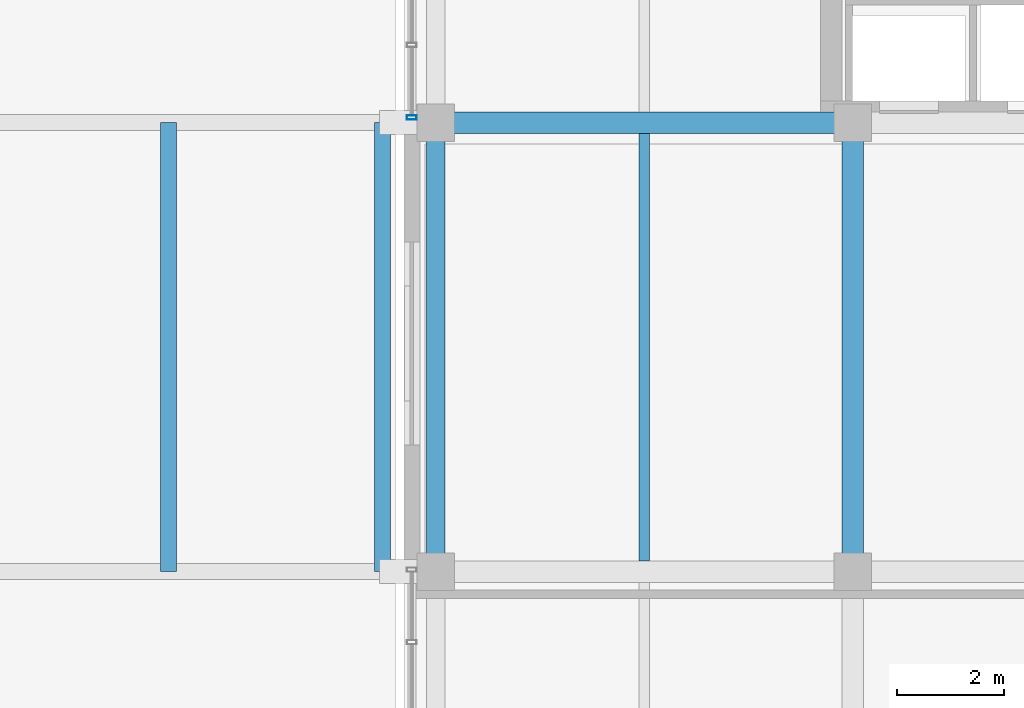
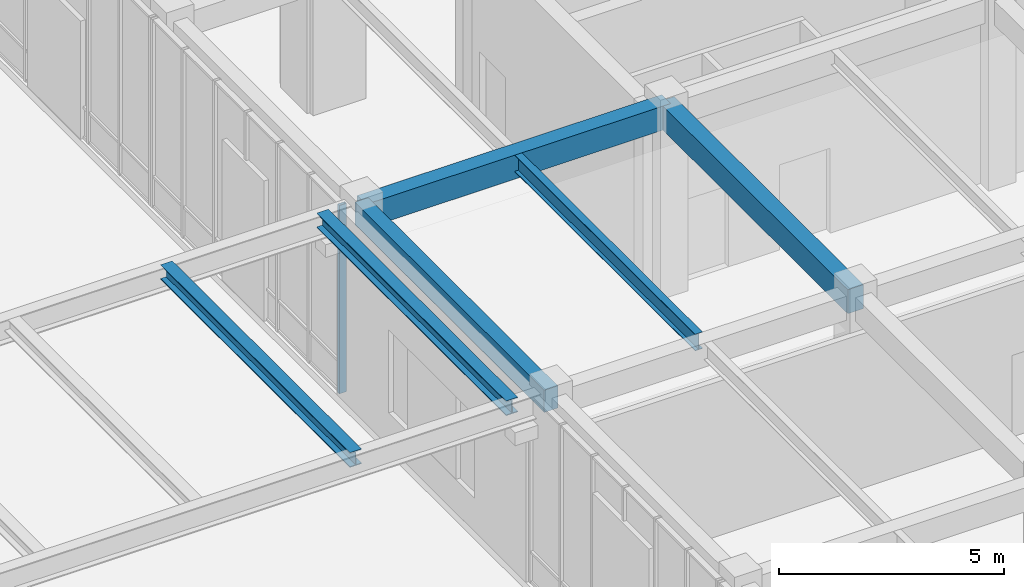
# One storey, part 58 of 122: 6 beams, 1 member, 1 element without a shape of its own.
"""IFC4 building model written with IfcOpenShell, lengths in metres."""

from ifc_helpers import new_model, si_unit, direction, frame, origin, origin_2d, place, context, subcontext, project, spatial, rectangle, hollow_rectangle, i_section, extrude, material, layer, layer_set, material_profile, profile_set, type_object, element, aggregate, save


model = new_model("IFC4")

# Units and contexts
model_context = context("Model", 3, precision=1e-05, world=origin(), true_north=direction((0.0, 1.0)))
body_context = subcontext(model_context, "Body", "Model", "MODEL_VIEW")
ifc_project = project(units=[si_unit("LENGTHUNIT", "METRE"), si_unit("AREAUNIT", "SQUARE_METRE"), si_unit("VOLUMEUNIT", "CUBIC_METRE"), si_unit("PLANEANGLEUNIT", "RADIAN"), si_unit("MASSUNIT", "GRAM", prefix="KILO")], contexts=[model_context])

# Site, building, storey
site_placement = place(None, origin())
site = spatial("IfcSite", under=ifc_project, at=site_placement, CompositionType="ELEMENT")
building_placement = place(site_placement, origin())
building = spatial("IfcBuilding", under=site, at=building_placement, Name="Zayran Congress Hotel", CompositionType="ELEMENT")
storey_placement = place(building_placement, origin())
storey = spatial("IfcBuildingStorey", under=building, at=storey_placement, Name="L00", CompositionType="ELEMENT", Elevation=0.0)

# Beams
ifc_material_1 = material(Name="Concrete C40/50", Category="concrete")
ifc_material_profile_1 = material_profile(ifc_material_1, rectangle(XDim=0.39990234375, YDim=0.64990234375, at=origin_2d()), Name="RC 400x650")
ifc_profile_set_1 = profile_set([ifc_material_profile_1], Name="Concrete C40/50")
beam_type_1 = type_object("IfcBeamType", Name="TP-BM-03", PredefinedType="BEAM", material=ifc_profile_set_1)
beam_1_placement = place(storey_placement, frame((109.800048828125, 84.39990234375, 4.77490234375), z_axis=(1.0, 0.0, 0.0), x_axis=(0.0, 1.0, 0.0)))
element("IfcBeam", 1, at=beam_1_placement, inside=storey, type_object=beam_type_1, Name="BM-V4-L00-1226", PredefinedType="BEAM", context=body_context, shape_type="SweptSolid", body=[
    extrude(rectangle(XDim=0.39990234375, YDim=0.64990234375, at=origin_2d()), origin(), (0.0, 0.0, 1.0), 7.800048828125),
])
beam_2_placement = place(storey_placement, frame((117.60009765625, 76.0, 4.77490234375), z_axis=(0.0, 1.0, 0.0), x_axis=(-1.0, 0.0, 0.0)))
element("IfcBeam", 2, at=beam_2_placement, inside=storey, type_object=beam_type_1, Name="BM-V4-L00-1253", PredefinedType="BEAM", context=body_context, shape_type="SweptSolid", body=[
    extrude(rectangle(XDim=0.39990234375, YDim=0.64990234375, at=origin_2d()), origin(), (0.0, 0.0, 1.0), 8.39990234375),
])
ifc_material_profile_2 = material_profile(ifc_material_1, rectangle(XDim=0.35009765625, YDim=0.60009765625, at=origin_2d()), Name="RC 350x600")
ifc_profile_set_2 = profile_set([ifc_material_profile_2], Name="Concrete C40/50")
beam_type_2 = type_object("IfcBeamType", Name="TP-SP-01", PredefinedType="SPANDREL", material=ifc_profile_set_2)
beam_3_placement = place(storey_placement, frame((109.800048828125, 76.0, 4.800048828125), z_axis=(0.0, 1.0, 0.0), x_axis=(-1.0, 0.0, 0.0)))
element("IfcBeam", 3, at=beam_3_placement, inside=storey, type_object=beam_type_2, Name="BM-V4-L00-1246", PredefinedType="SPANDREL", context=body_context, shape_type="SweptSolid", body=[
    extrude(rectangle(XDim=0.35009765625, YDim=0.60009765625, at=origin_2d()), origin(), (0.0, 0.0, 1.0), 8.39990234375),
])
ifc_material_2 = material(Name="Steel S355", Category="steel")
ifc_material_profile_3 = material_profile(ifc_material_2, i_section(OverallWidth=0.300048828125, OverallDepth=0.39990234375, WebThickness=0.013427734375, FlangeThickness=0.02392578125, at=origin_2d()), Name="HEB 400")
ifc_profile_set_3 = profile_set([ifc_material_profile_3], Name="Steel S355")
beam_type_3 = type_object("IfcBeamType", Name="TP-BM-10", PredefinedType="BEAM", material=ifc_profile_set_3)
for number, where, z_axis, x_axis, name in (
    (4, (104.800048828125, 76.0, 4.949951171875), (0.0, 1.0, 0.0), (-1.0, 0.0, 0.0), "BM-BR1C-L00-2406"),
    (5, (108.800048828125, 76.0, 4.949951171875), (0.0, 1.0, 0.0), (-1.0, 0.0, 0.0), "BM-BR1C-L00-2407"),
):
    element("IfcBeam", number, at=place(storey_placement, frame(where, z_axis=z_axis, x_axis=x_axis)), inside=storey, type_object=beam_type_3, Name=name, PredefinedType="BEAM", context=body_context, shape_type="SweptSolid", body=[
        extrude(i_section(OverallWidth=0.300048828125, OverallDepth=0.39990234375, WebThickness=0.013427734375, FlangeThickness=0.02392578125, at=origin_2d()), origin(), (0.0, 0.0, 1.0), 8.39990234375),
    ])
ifc_material_profile_4 = material_profile(ifc_material_2, i_section(OverallWidth=0.18994140625, OverallDepth=0.449951171875, WebThickness=0.009521484375, FlangeThickness=0.0146484375, at=origin_2d()), Name="IPE 450")
ifc_profile_set_4 = profile_set([ifc_material_profile_4], Name="Steel S355")
beam_type_4 = type_object("IfcBeamType", Name="TP-JS-02", PredefinedType="JOIST", material=ifc_profile_set_4)
beam_4_placement = place(storey_placement, frame((113.699951171875, 76.199951171875, 4.875), z_axis=(0.0, 1.0, 0.0), x_axis=(-1.0, 0.0, 0.0)))
element("IfcBeam", 6, at=beam_4_placement, inside=storey, type_object=beam_type_4, Name="JST-V4-L00-1284", PredefinedType="JOIST", context=body_context, shape_type="SweptSolid", body=[
    extrude(i_section(OverallWidth=0.18994140625, OverallDepth=0.449951171875, WebThickness=0.009521484375, FlangeThickness=0.0146484375, at=origin_2d()), origin(), (0.0, 0.0, 1.0), 8.0),
])

# Curtain wall, member
ifc_material_3 = material(Name="Anodised aluminium and low-E insulated glass", Category="aluminium")
ifc_layer = layer(ifc_material_3, 0.179931640625)
ifc_layer_set = layer_set([ifc_layer], Name="Anodised aluminium and low-E insulated glass")
curtain_wall_type = type_object("IfcCurtainWallType", Name="CW-V4W-L00-CW-53-8376-5100", PredefinedType="USERDEFINED", material=ifc_layer_set)
curtain_wall_placement = place(storey_placement, origin())
curtain_wall = element("IfcCurtainWall", 7, at=curtain_wall_placement, inside=storey, type_object=curtain_wall_type, Name="CW-V4W-L00-5", ObjectType="CURTAIN WALL", PredefinedType="USERDEFINED")
ifc_material_4 = material(Name="Anodised aluminium framing", Category="aluminium")
ifc_material_profile_5 = material_profile(ifc_material_4, hollow_rectangle(XDim=0.080078125, YDim=0.179931640625, WallThickness=0.0048828125, at=origin_2d()), Name="RHS 180x80x5")
ifc_profile_set_5 = profile_set([ifc_material_profile_5], Name="Anodised aluminium framing")
member_type = type_object("IfcMemberType", Name="TP-CWM-01", PredefinedType="MULLION", material=ifc_profile_set_5)
member_placement = place(storey_placement, frame((109.35009765625, 84.49609375, 0.0), z_axis=(0.0, 0.0, 1.0), x_axis=(0.0, 1.0, 0.0)))
member = element("IfcMember", 8, at=member_placement, type_object=member_type, Name="CW-V4W-L00-5-M06", PredefinedType="MULLION", context=body_context, shape_type="SweptSolid", body=[
    extrude(hollow_rectangle(XDim=0.080078125, YDim=0.179931640625, WallThickness=0.0048828125, at=origin_2d()), origin(), (0.0, 0.0, 1.0), 5.10009765625),
])
aggregate(curtain_wall, [member])

save(model, "model.ifc")
